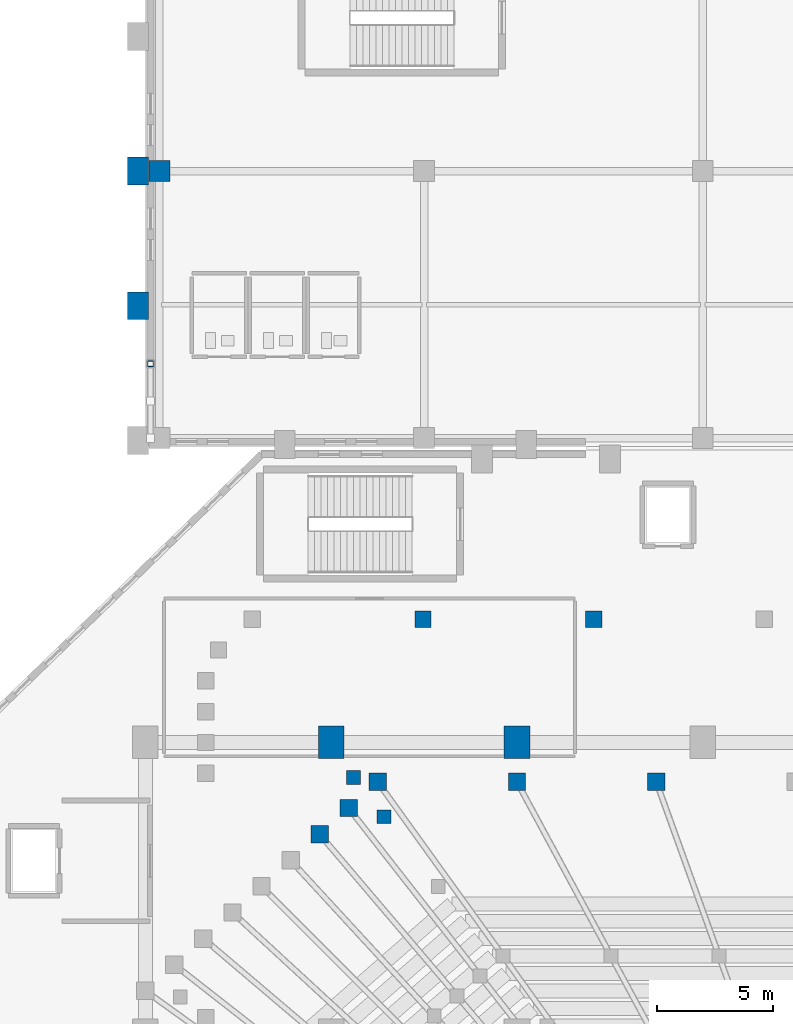
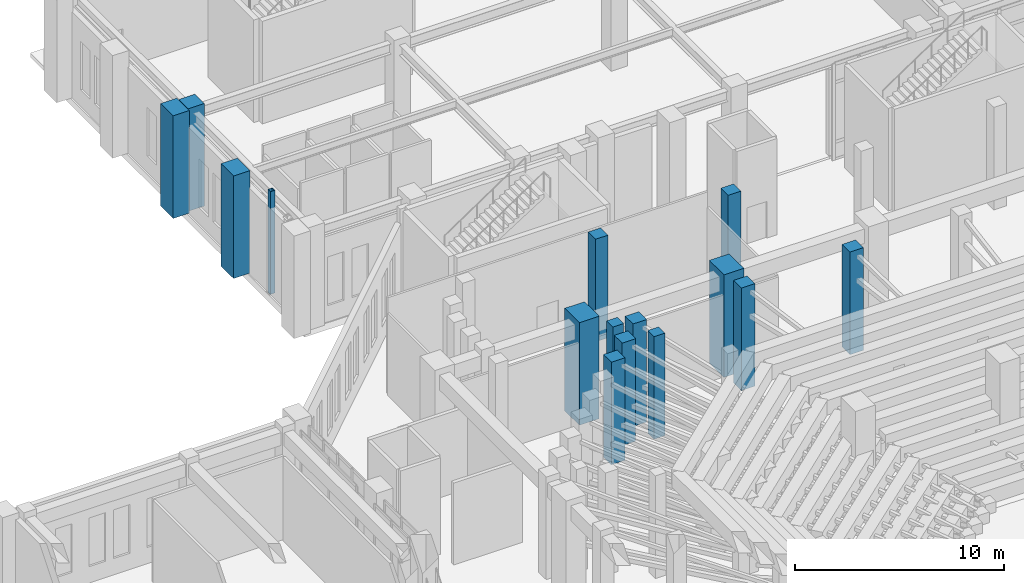
# One storey, part 11 of 143: 15 columns.
"""IFC4 building model written with IfcOpenShell, lengths in metres."""

from ifc_helpers import new_model, si_unit, derived_unit, direction, frame, origin, origin_2d, place, context, subcontext, project, spatial, rectangle, hollow_rectangle, extrude, material, material_profile, profile_set, type_object, element, save


model = new_model("IFC4")

# Units and contexts
model_context = context("Model", 3, precision=1e-05, world=origin(), true_north=direction((0.0, 1.0)))
body_context = subcontext(model_context, "Body", "Model", "MODEL_VIEW")
ifc_project = project(units=[si_unit("LENGTHUNIT", "METRE"), si_unit("AREAUNIT", "SQUARE_METRE"), si_unit("VOLUMEUNIT", "CUBIC_METRE"), si_unit("PLANEANGLEUNIT", "RADIAN"), si_unit("MASSUNIT", "GRAM", prefix="KILO"), derived_unit("THERMALTRANSMITTANCEUNIT", [(si_unit("MASSUNIT", "GRAM", prefix="KILO"), 1), (si_unit("TIMEUNIT", "SECOND"), -3), (si_unit("THERMODYNAMICTEMPERATUREUNIT", "KELVIN"), -1)])], contexts=[model_context])

# Site, building, storey
site_placement = place(None, origin())
site = spatial("IfcSite", under=ifc_project, at=site_placement, CompositionType="ELEMENT")
building_placement = place(site_placement, origin())
building = spatial("IfcBuilding", under=site, at=building_placement, Name="Valcora Ridge Arena", CompositionType="ELEMENT")
storey_placement = place(building_placement, origin())
storey = spatial("IfcBuildingStorey", under=building, at=storey_placement, Name="L00", CompositionType="ELEMENT", Elevation=0.0)

# Columns
ifc_material_1 = material(Name="Bush-hammered Andean travertine architectural concrete C45/55", Category="masonry")
ifc_material_profile_1 = material_profile(ifc_material_1, rectangle(XDim=0.89990234375, YDim=1.199951171875, at=origin_2d()), Name="RC 900x1200")
ifc_profile_set_1 = profile_set([ifc_material_profile_1], Name="Bush-hammered Andean travertine architectural concrete C45/55")
column_type_1 = type_object("IfcColumnType", Name="TY-COLUMN-C-BUTT-1200", PredefinedType="PILASTER", material=ifc_profile_set_1)
for number, where, z_axis, x_axis, name in (
    (1, (23.679931640625, 114.39990234375, 0.0), (0.0, 0.0, 1.0), (1.0, 0.0, 0.0), "C-BUTT-1200 COL-C-BUTT-1200-0232"),
    (2, (23.679931640625, 120.199951171875, 0.0), (0.0, 0.0, 1.0), (1.0, 0.0, 0.0), "C-BUTT-1200 COL-C-BUTT-1200-0236"),
):
    element("IfcColumn", number, at=place(storey_placement, frame(where, z_axis=z_axis, x_axis=x_axis)), inside=storey, type_object=column_type_1, Name=name, PredefinedType="PILASTER", context=body_context, shape_type="SweptSolid", body=[
        extrude(rectangle(XDim=0.89990234375, YDim=1.199951171875, at=origin_2d()), origin(), (0.0, 0.0, 1.0), 6.0),
    ])
ifc_material_2 = material(Name="Steel ASTM A500 Grade C", Category="steel")
ifc_material_profile_2 = material_profile(ifc_material_2, hollow_rectangle(XDim=0.25, YDim=0.25, WallThickness=0.012451171875, at=origin_2d()), Name="HSS250X250X12")
ifc_profile_set_2 = profile_set([ifc_material_profile_2], Name="Steel ASTM A500 Grade C")
column_type_2 = type_object("IfcColumnType", Name="TY-COLUMN-C-CBF250", PredefinedType="COLUMN", material=ifc_profile_set_2)
column_1_placement = place(storey_placement, frame((24.219970703125, 111.89990234375, 0.0), z_axis=(0.0, 0.0, 1.0), x_axis=(1.0, 0.0, 0.0)))
element("IfcColumn", 3, at=column_1_placement, inside=storey, type_object=column_type_2, Name="C-CBF250 COL-CBF-C-CBF250-0014", PredefinedType="COLUMN", context=body_context, shape_type="SweptSolid", body=[
    extrude(hollow_rectangle(XDim=0.25, YDim=0.25, WallThickness=0.012451171875, at=origin_2d()), origin(), (0.0, 0.0, 1.0), 6.0),
])
ifc_material_3 = material(Name="Concrete C40/50", Category="concrete")
ifc_material_profile_3 = material_profile(ifc_material_3, rectangle(XDim=1.10009765625, YDim=1.39990234375, at=origin_2d()), Name="RC 1100x1400")
ifc_profile_set_3 = profile_set([ifc_material_profile_3], Name="Concrete C40/50")
column_type_3 = type_object("IfcColumnType", Name="TY-COLUMN-C-RC1100", PredefinedType="COLUMN", material=ifc_profile_set_3)
for number, where, z_axis, x_axis, name in (
    (4, (32.0, 95.60009765625, 0.0), (0.0, 0.0, 1.0), (1.0, 0.0, 0.0), "C-RC1100 COL-C-RC1100-0024"),
    (5, (40.0, 95.60009765625, 0.0), (0.0, 0.0, 1.0), (1.0, 0.0, 0.0), "C-RC1100 COL-C-RC1100-0032"),
):
    element("IfcColumn", number, at=place(storey_placement, frame(where, z_axis=z_axis, x_axis=x_axis)), inside=storey, type_object=column_type_3, Name=name, PredefinedType="COLUMN", context=body_context, shape_type="SweptSolid", body=[
        extrude(rectangle(XDim=1.10009765625, YDim=1.39990234375, at=origin_2d()), origin(), (0.0, 0.0, 1.0), 6.0),
    ])
ifc_material_profile_4 = material_profile(ifc_material_3, rectangle(XDim=0.89990234375, YDim=0.89990234375, at=origin_2d()), Name="RC 900x900")
ifc_profile_set_4 = profile_set([ifc_material_profile_4], Name="Concrete C40/50")
column_type_4 = type_object("IfcColumnType", Name="TY-COLUMN-C-RC900B", PredefinedType="COLUMN", material=ifc_profile_set_4)
column_2_placement = place(storey_placement, frame((24.60009765625, 120.199951171875, 0.0), z_axis=(0.0, 0.0, 1.0), x_axis=(1.0, 0.0, 0.0)))
element("IfcColumn", 6, at=column_2_placement, inside=storey, type_object=column_type_4, Name="C-RC900B COL-C-RC900B-0005", PredefinedType="COLUMN", context=body_context, shape_type="SweptSolid", body=[
    extrude(rectangle(XDim=0.89990234375, YDim=0.89990234375, at=origin_2d()), origin(), (0.0, 0.0, 1.0), 6.0),
])
ifc_material_profile_5 = material_profile(ifc_material_3, rectangle(XDim=0.60009765625, YDim=0.60009765625, at=origin_2d()), Name="RC 600x600")
ifc_profile_set_5 = profile_set([ifc_material_profile_5], Name="Concrete C40/50")
column_type_5 = type_object("IfcColumnType", Name="TY-COLUMN-C-RKR600I", PredefinedType="COLUMN", material=ifc_profile_set_5)
for number, where, z_axis, x_axis, name in (
    (7, (34.27001953125, 92.39990234375, 0.0), (0.0, 0.0, 1.0), (1.0, 0.0, 0.0), "C-RKR600I COL-R2-C-RKR600I-0049"),
    (8, (32.959716796875, 94.080078125, 0.0), (0.0, 0.0, 1.0), (1.0, 0.0, 0.0), "C-RKR600I COL-R2-C-RKR600I-0063"),
):
    element("IfcColumn", number, at=place(storey_placement, frame(where, z_axis=z_axis, x_axis=x_axis)), inside=storey, type_object=column_type_5, Name=name, PredefinedType="COLUMN", context=body_context, shape_type="SweptSolid", body=[
        extrude(rectangle(XDim=0.60009765625, YDim=0.60009765625, at=origin_2d()), origin(), (0.0, 0.0, 1.0), 6.0),
    ])
ifc_material_profile_6 = material_profile(ifc_material_3, rectangle(XDim=0.75, YDim=0.75, at=origin_2d()), Name="RC 750x750")
ifc_profile_set_6 = profile_set([ifc_material_profile_6], Name="Concrete C40/50")
column_type_6 = type_object("IfcColumnType", Name="TY-COLUMN-C-RKR750", PredefinedType="COLUMN", material=ifc_profile_set_6)
for number, where, z_axis, x_axis, name in (
    (9, (46.0, 93.89990234375, 0.0), (0.0, 0.0, 1.0), (1.0, 0.0, 0.0), "C-RKR750 COL-RK-C-RKR750-0074"),
    (10, (40.0, 93.89990234375, 0.0), (0.0, 0.0, 1.0), (1.0, 0.0, 0.0), "C-RKR750 COL-RK-C-RKR750-0076"),
    (11, (34.0, 93.89990234375, 0.0), (0.0, 0.0, 1.0), (1.0, 0.0, 0.0), "C-RKR750 COL-RK-C-RKR750-0078"),
    (12, (32.75, 92.77490234375, 0.0), (0.0, 0.0, 1.0), (1.0, 0.0, 0.0), "C-RKR750 COL-RK-C-RKR750-0080"),
    (13, (31.5, 91.64990234375, 0.0), (0.0, 0.0, 1.0), (1.0, 0.0, 0.0), "C-RKR750 COL-RK-C-RKR750-0082"),
):
    element("IfcColumn", number, at=place(storey_placement, frame(where, z_axis=z_axis, x_axis=x_axis)), inside=storey, type_object=column_type_6, Name=name, PredefinedType="COLUMN", context=body_context, shape_type="SweptSolid", body=[
        extrude(rectangle(XDim=0.75, YDim=0.75, at=origin_2d()), origin(), (0.0, 0.0, 1.0), 6.0),
    ])
ifc_material_profile_7 = material_profile(ifc_material_3, rectangle(XDim=0.699951171875, YDim=0.699951171875, at=origin_2d()), Name="RC 700x700")
ifc_profile_set_7 = profile_set([ifc_material_profile_7], Name="Concrete C40/50")
column_type_7 = type_object("IfcColumnType", Name="TY-COLUMN-C-RKRU700B", PredefinedType="COLUMN", material=ifc_profile_set_7)
for number, where, z_axis, x_axis, name in (
    (14, (43.300048828125, 100.89990234375, 0.0), (0.0, 0.0, 1.0), (1.0, 0.0, 0.0), "C-RKRU700B COL-RK-C-RKRU700B-0182"),
    (15, (35.949951171875, 100.89990234375, 0.0), (0.0, 0.0, 1.0), (1.0, 0.0, 0.0), "C-RKRU700B COL-RK-C-RKRU700B-0187"),
):
    element("IfcColumn", number, at=place(storey_placement, frame(where, z_axis=z_axis, x_axis=x_axis)), inside=storey, type_object=column_type_7, Name=name, PredefinedType="COLUMN", context=body_context, shape_type="SweptSolid", body=[
        extrude(rectangle(XDim=0.699951171875, YDim=0.699951171875, at=origin_2d()), origin(), (0.0, 0.0, 1.0), 6.0),
    ])

save(model, "model.ifc")
